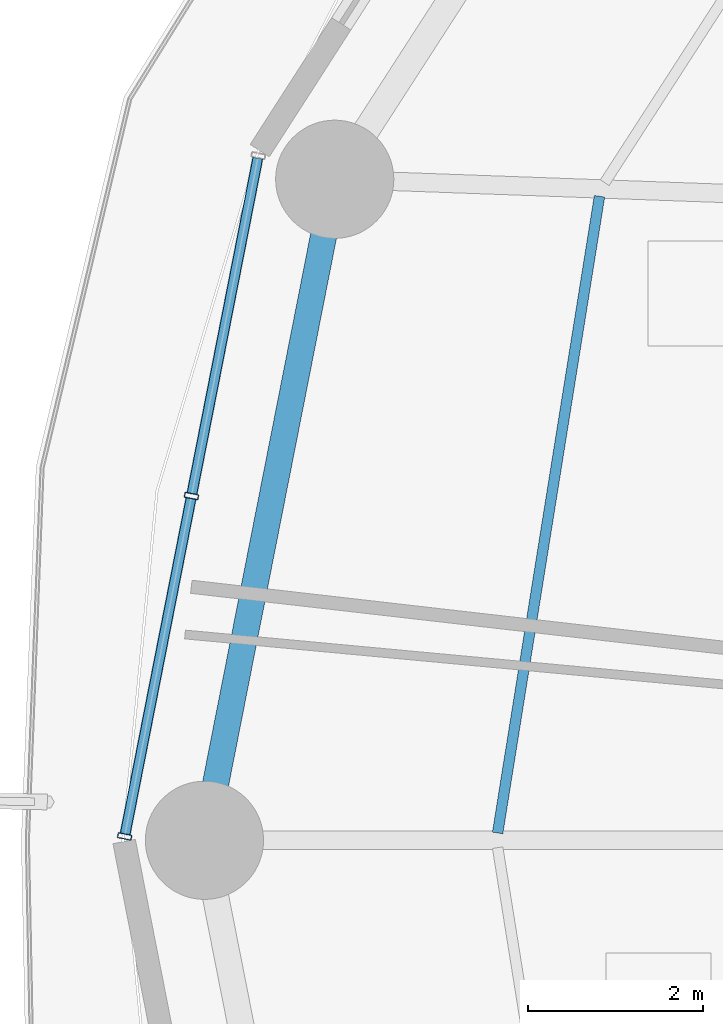
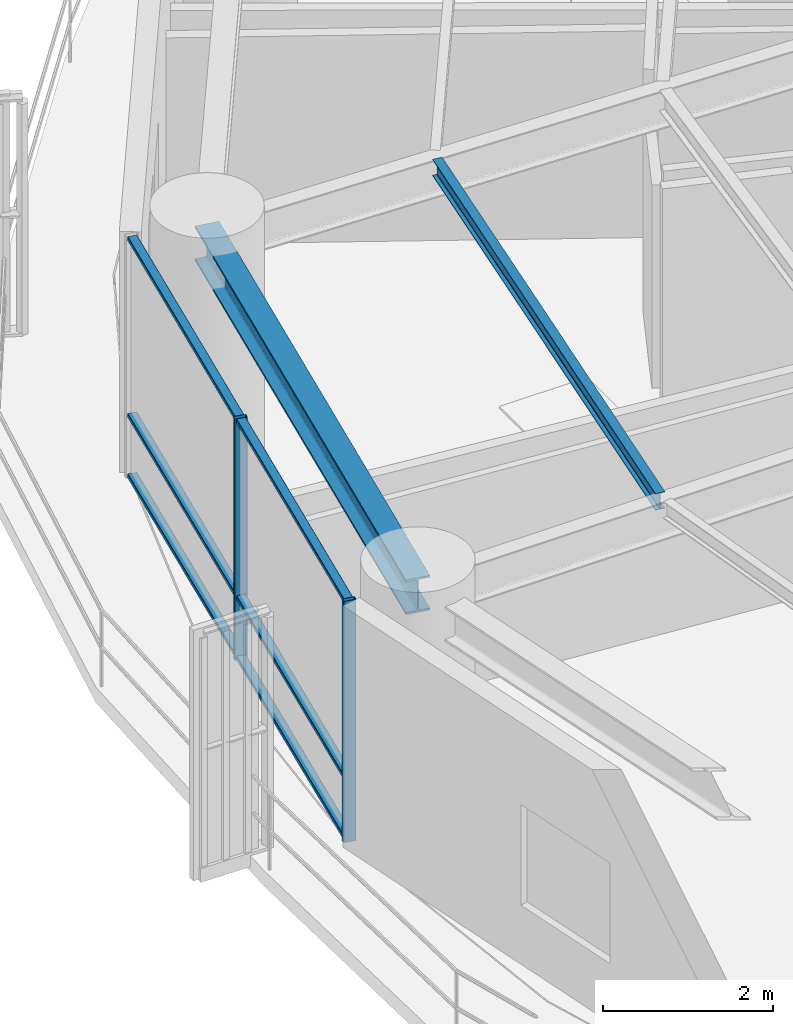
# One storey, part 8 of 37: 8 members, 2 beams, 1 element without a shape of its own.
"""IFC4 building model written with IfcOpenShell, lengths in metres."""

from ifc_helpers import new_model, si_unit, direction, frame, origin, origin_2d, place, context, subcontext, project, spatial, hollow_rectangle, i_section, extrude, material, layer, layer_set, material_profile, profile_set, type_object, element, aggregate, save


model = new_model("IFC4")

# Units and contexts
model_context = context("Model", 3, precision=1e-05, world=origin(), true_north=direction((0.0, 1.0)))
body_context = subcontext(model_context, "Body", "Model", "MODEL_VIEW")
ifc_project = project(units=[si_unit("LENGTHUNIT", "METRE"), si_unit("AREAUNIT", "SQUARE_METRE"), si_unit("VOLUMEUNIT", "CUBIC_METRE"), si_unit("PLANEANGLEUNIT", "RADIAN"), si_unit("MASSUNIT", "GRAM", prefix="KILO")], contexts=[model_context])

# Site, building, storey
site_placement = place(None, origin())
site = spatial("IfcSite", under=ifc_project, at=site_placement, CompositionType="ELEMENT")
building_placement = place(site_placement, origin())
building = spatial("IfcBuilding", under=site, at=building_placement, Name="Kelanora Arch Commons", CompositionType="ELEMENT")
storey_placement = place(building_placement, frame((0.0, 0.0, 113.85009765625)))
storey = spatial("IfcBuildingStorey", under=building, at=storey_placement, Name="L29", CompositionType="ELEMENT", Elevation=113.85009765625)

# Beams
ifc_material_1 = material(Name="Steel S355", Category="steel")
ifc_material_profile_1 = material_profile(ifc_material_1, i_section(OverallWidth=0.1201171875, OverallDepth=0.239990234375, WebThickness=0.006103515625, FlangeThickness=0.009765625, FilletRadius=0.014892578125, at=origin_2d()), Name="IPE240")
ifc_profile_set_1 = profile_set([ifc_material_profile_1], Name="Steel S355")
beam_type_1 = type_object("IfcBeamType", Name="BM-JST-02", PredefinedType="JOIST", material=ifc_profile_set_1)
beam_1_placement = place(storey_placement, frame((53.833251953125, 65.357421875, 3.369873046875), z_axis=(-0.157999549894, -0.987439184068, 0.0), x_axis=(0.987439184068, -0.157999549894, 0.0)))
element("IfcBeam", 1, at=beam_1_placement, inside=storey, type_object=beam_type_1, Name="Secondary Chord Joist BJC-16 L29", PredefinedType="JOIST", context=body_context, shape_type="SweptSolid", body=[
    extrude(i_section(OverallWidth=0.1201171875, OverallDepth=0.239990234375, WebThickness=0.006103515625, FlangeThickness=0.009765625, FilletRadius=0.014892578125, at=origin_2d()), origin(), (0.0, 0.0, 1.0), 7.365966796875),
])
ifc_material_profile_2 = material_profile(ifc_material_1, i_section(OverallWidth=0.300048828125, OverallDepth=0.5, WebThickness=0.014404296875, FlangeThickness=0.028076171875, FilletRadius=0.027099609375, at=origin_2d()), Name="HEB500")
ifc_profile_set_2 = profile_set([ifc_material_profile_2], Name="Steel S355")
beam_type_2 = type_object("IfcBeamType", Name="BM-SPN-Z2", PredefinedType="SPANDREL", material=ifc_profile_set_2)
beam_2_placement = place(storey_placement, frame((50.808349609375, 65.5517578125, 3.239990234375), z_axis=(-0.19335825777, -0.981128220037, 0.0), x_axis=(0.981128220037, -0.19335825777, 0.0)))
element("IfcBeam", 2, at=beam_2_placement, inside=storey, type_object=beam_type_2, Name="Perimeter Spandrel Beam BS-16 L29", PredefinedType="SPANDREL", context=body_context, shape_type="SweptSolid", body=[
    extrude(i_section(OverallWidth=0.300048828125, OverallDepth=0.5, WebThickness=0.014404296875, FlangeThickness=0.028076171875, FilletRadius=0.027099609375, at=origin_2d()), origin(), (0.0, 0.0, 1.0), 7.697021484375),
])

# Curtain wall, members
ifc_material_2 = material(Name="Terracotta ceramic-fritted low-E glass and aluminium", Category="masonry")
ifc_layer = layer(ifc_material_2, 0.159912109375)
ifc_layer_set = layer_set([ifc_layer], Name="Terracotta ceramic-fritted low-E glass and aluminium")
curtain_wall_type = type_object("IfcCurtainWallType", Name="CW-SYS-01", PredefinedType="NOTDEFINED", material=ifc_layer_set)
curtain_wall_placement = place(storey_placement, origin())
curtain_wall = element("IfcCurtainWall", 3, at=curtain_wall_placement, inside=storey, type_object=curtain_wall_type, Name="Unitised Curtain Wall L29-B08", PredefinedType="NOTDEFINED")
ifc_material_3 = material(Name="Powder-coated aluminium terracotta", Category="masonry")
ifc_material_profile_3 = material_profile(ifc_material_3, hollow_rectangle(XDim=0.159912109375, YDim=0.06005859375, WallThickness=0.0048828125, InnerFilletRadius=0.0048828125, OuterFilletRadius=0.010009765625, at=origin_2d()), Name="CWM160x60")
ifc_profile_set_3 = profile_set([ifc_material_profile_3], Name="Powder-coated aluminium terracotta")
member_type_1 = type_object("IfcMemberType", Name="CWM-STD", PredefinedType="MULLION", material=ifc_profile_set_3)
member_1_placement = place(storey_placement, frame((49.171875, 61.933349609375, 0.0), z_axis=(0.0, 0.0, 1.0), x_axis=(0.981280311646, -0.192584916272, 0.0)))
member_1 = element("IfcMember", 4, at=member_1_placement, type_object=member_type_1, Name="CW-01 mullion 2", PredefinedType="MULLION", context=body_context, shape_type="SweptSolid", body=[
    extrude(hollow_rectangle(XDim=0.159912109375, YDim=0.06005859375, WallThickness=0.0048828125, InnerFilletRadius=0.0048828125, OuterFilletRadius=0.010009765625, at=origin_2d()), origin(), (0.0, 0.0, 1.0), 3.474853515625),
])
member_2_placement = place(storey_placement, frame((48.40869140625, 58.044189453125, 0.0), z_axis=(0.0, 0.0, 1.0), x_axis=(0.981280311646, -0.192584916272, 0.0)))
member_2 = element("IfcMember", 5, at=member_2_placement, type_object=member_type_1, Name="CW-01 mullion 3", PredefinedType="MULLION", context=body_context, shape_type="SweptSolid", body=[
    extrude(hollow_rectangle(XDim=0.159912109375, YDim=0.06005859375, WallThickness=0.0048828125, InnerFilletRadius=0.0048828125, OuterFilletRadius=0.010009765625, at=origin_2d()), origin(), (0.0, 0.0, 1.0), 3.474853515625),
])
ifc_material_profile_4 = material_profile(ifc_material_3, hollow_rectangle(XDim=0.1201171875, YDim=0.06005859375, WallThickness=0.0048828125, InnerFilletRadius=0.0048828125, OuterFilletRadius=0.010009765625, at=origin_2d()), Name="CWT120x60")
ifc_profile_set_4 = profile_set([ifc_material_profile_4], Name="Powder-coated aluminium terracotta")
member_type_2 = type_object("IfcMemberType", Name="CWT-STD", PredefinedType="USERDEFINED", material=ifc_profile_set_4)
member_3_placement = place(storey_placement, frame((49.929443359375, 65.79296875, 0.02978515625), z_axis=(-0.192578614785, -0.981281548348, 0.0), x_axis=(0.981281548348, -0.192578614785, 0.0)))
member_3 = element("IfcMember", 6, at=member_3_placement, type_object=member_type_2, Name="CW-01 transom 1.1", ObjectType="TRANSOM", PredefinedType="USERDEFINED", context=body_context, shape_type="SweptSolid", body=[
    extrude(hollow_rectangle(XDim=0.1201171875, YDim=0.06005859375, WallThickness=0.0048828125, InnerFilletRadius=0.0048828125, OuterFilletRadius=0.010009765625, at=origin_2d()), origin(), (0.0, 0.0, 1.0), 3.9033203125),
])
member_4_placement = place(storey_placement, frame((49.929443359375, 65.79296875, 0.89990234375), z_axis=(-0.192578614785, -0.981281548348, 0.0), x_axis=(0.981281548348, -0.192578614785, 0.0)))
member_4 = element("IfcMember", 7, at=member_4_placement, type_object=member_type_2, Name="CW-01 transom 1.2", ObjectType="TRANSOM", PredefinedType="USERDEFINED", context=body_context, shape_type="SweptSolid", body=[
    extrude(hollow_rectangle(XDim=0.1201171875, YDim=0.06005859375, WallThickness=0.0048828125, InnerFilletRadius=0.0048828125, OuterFilletRadius=0.010009765625, at=origin_2d()), origin(), (0.0, 0.0, 1.0), 3.9033203125),
])
member_5_placement = place(storey_placement, frame((49.929443359375, 65.79296875, 3.44482421875), z_axis=(-0.192578614785, -0.981281548348, 0.0), x_axis=(0.981281548348, -0.192578614785, 0.0)))
member_5 = element("IfcMember", 8, at=member_5_placement, type_object=member_type_2, Name="CW-01 transom 1.3", ObjectType="TRANSOM", PredefinedType="USERDEFINED", context=body_context, shape_type="SweptSolid", body=[
    extrude(hollow_rectangle(XDim=0.1201171875, YDim=0.06005859375, WallThickness=0.0048828125, InnerFilletRadius=0.0048828125, OuterFilletRadius=0.010009765625, at=origin_2d()), origin(), (0.0, 0.0, 1.0), 3.9033203125),
])
member_6_placement = place(storey_placement, frame((49.166259765625, 61.90380859375, 0.02978515625), z_axis=(-0.192578614785, -0.981281548348, 0.0), x_axis=(0.981281548348, -0.192578614785, 0.0)))
member_6 = element("IfcMember", 9, at=member_6_placement, type_object=member_type_2, Name="CW-01 transom 2.1", ObjectType="TRANSOM", PredefinedType="USERDEFINED", context=body_context, shape_type="SweptSolid", body=[
    extrude(hollow_rectangle(XDim=0.1201171875, YDim=0.06005859375, WallThickness=0.0048828125, InnerFilletRadius=0.0048828125, OuterFilletRadius=0.010009765625, at=origin_2d()), origin(), (0.0, 0.0, 1.0), 3.9033203125),
])
member_7_placement = place(storey_placement, frame((49.166259765625, 61.90380859375, 0.89990234375), z_axis=(-0.192578614785, -0.981281548348, 0.0), x_axis=(0.981281548348, -0.192578614785, 0.0)))
member_7 = element("IfcMember", 10, at=member_7_placement, type_object=member_type_2, Name="CW-01 transom 2.2", ObjectType="TRANSOM", PredefinedType="USERDEFINED", context=body_context, shape_type="SweptSolid", body=[
    extrude(hollow_rectangle(XDim=0.1201171875, YDim=0.06005859375, WallThickness=0.0048828125, InnerFilletRadius=0.0048828125, OuterFilletRadius=0.010009765625, at=origin_2d()), origin(), (0.0, 0.0, 1.0), 3.9033203125),
])
member_8_placement = place(storey_placement, frame((49.166259765625, 61.90380859375, 3.44482421875), z_axis=(-0.192578614785, -0.981281548348, 0.0), x_axis=(0.981281548348, -0.192578614785, 0.0)))
member_8 = element("IfcMember", 11, at=member_8_placement, type_object=member_type_2, Name="CW-01 transom 2.3", ObjectType="TRANSOM", PredefinedType="USERDEFINED", context=body_context, shape_type="SweptSolid", body=[
    extrude(hollow_rectangle(XDim=0.1201171875, YDim=0.06005859375, WallThickness=0.0048828125, InnerFilletRadius=0.0048828125, OuterFilletRadius=0.010009765625, at=origin_2d()), origin(), (0.0, 0.0, 1.0), 3.9033203125),
])
aggregate(curtain_wall, [member_1, member_2, member_3, member_4, member_5, member_6, member_7, member_8])

save(model, "model.ifc")
